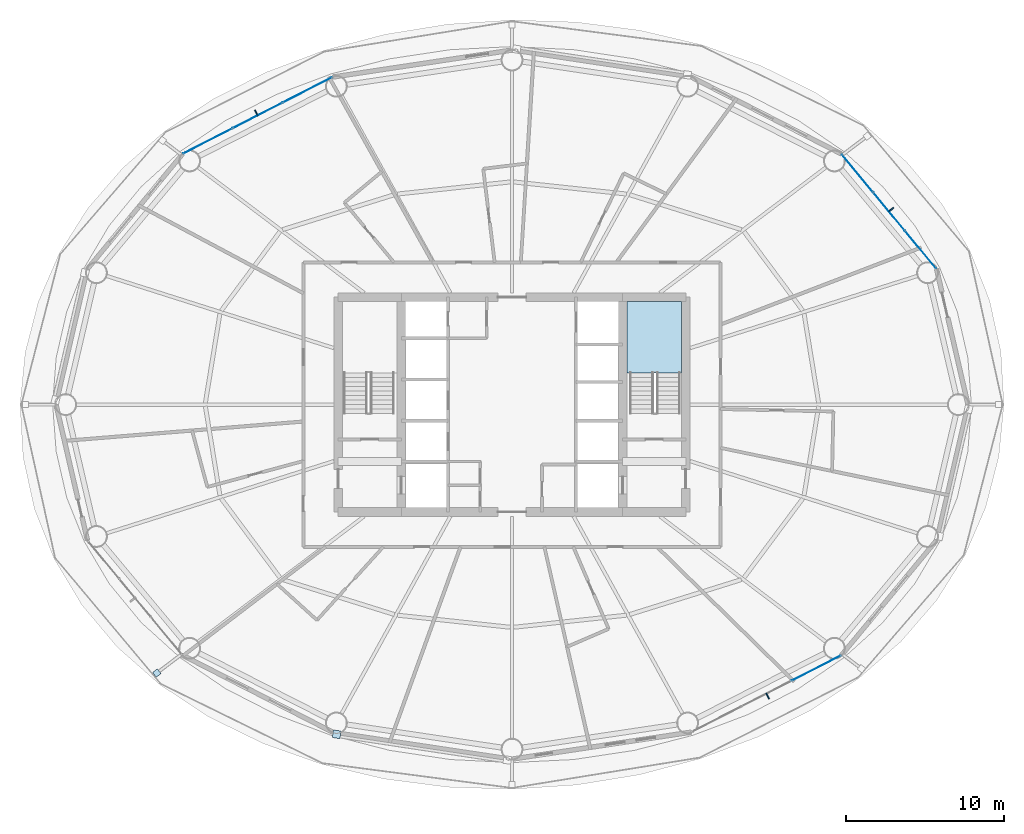
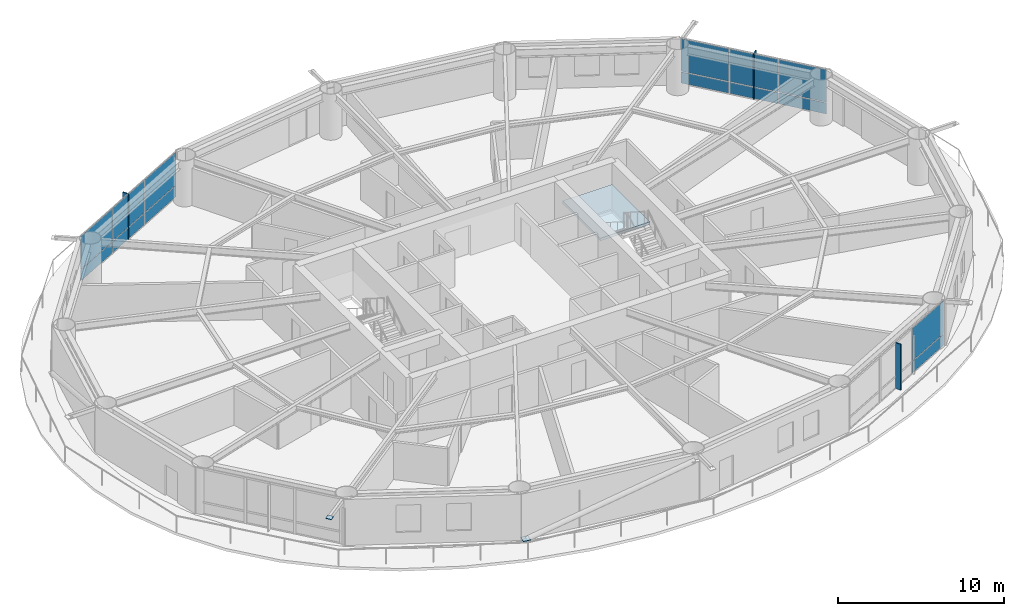
# One storey, part 16 of 24: 19 plates, 1 slab, 4 elements without a shape of their own.
"""IFC4 building model written with IfcOpenShell, lengths in metres."""

from ifc_helpers import new_model, si_unit, direction, frame, origin, origin_2d, place, context, subcontext, project, spatial, polyline, rectangle, outline, extrude, material, layer, layer_set, type_object, element, aggregate, save


model = new_model("IFC4")

# Units and contexts
model_context = context("Model", 3, precision=1e-05, world=origin(), true_north=direction((0.0, 1.0)))
body_context = subcontext(model_context, "Body", "Model", "MODEL_VIEW")
ifc_project = project(units=[si_unit("LENGTHUNIT", "METRE"), si_unit("AREAUNIT", "SQUARE_METRE"), si_unit("VOLUMEUNIT", "CUBIC_METRE"), si_unit("PLANEANGLEUNIT", "RADIAN"), si_unit("MASSUNIT", "GRAM", prefix="KILO")], contexts=[model_context])

# Site, building, storey
site_placement = place(None, origin())
site = spatial("IfcSite", under=ifc_project, at=site_placement, CompositionType="ELEMENT")
building_placement = place(site_placement, origin())
building = spatial("IfcBuilding", under=site, at=building_placement, Name="Sarneth Arch Tower", CompositionType="ELEMENT")
storey_placement = place(building_placement, frame((0.0, 0.0, 127.199951171875)))
storey = spatial("IfcBuildingStorey", under=building, at=storey_placement, Name="L32", CompositionType="ELEMENT", Elevation=127.199951171875)

# Curtain wall, plates
ifc_material_1 = material(Name="Anodised aluminium Type AA25 and solar-control low-e laminated IGU", Category="aluminium")
ifc_layer_1 = layer(ifc_material_1, 0.159912109375)
ifc_layer_set_1 = layer_set([ifc_layer_1], Name="Anodised aluminium Type AA25 and solar-control low-e laminated IGU")
curtain_wall_type = type_object("IfcCurtainWallType", Name="CW-HOTEL-MID", PredefinedType="NOTDEFINED", material=ifc_layer_set_1)
curtain_wall_1_placement = place(storey_placement, origin())
curtain_wall_1 = element("IfcCurtainWall", 1, at=curtain_wall_1_placement, inside=storey, type_object=curtain_wall_type, Name="L32 Unitised curtain wall facet 02", PredefinedType="NOTDEFINED")
ifc_material_2 = material(Name="Solar-control low-e laminated IGU", Category="glass")
ifc_layer_2 = layer(ifc_material_2, 0.028076171875)
ifc_layer_set_2 = layer_set([ifc_layer_2], Name="Solar-control low-e laminated IGU")
plate_type_1 = type_object("IfcPlateType", Name="CW-PANEL", PredefinedType="CURTAIN_PANEL", material=ifc_layer_set_2)
plate_1_placement = place(storey_placement, frame((73.84814453125, 51.807861328125, 0.06005859375), z_axis=(0.0, 0.0, 1.0), x_axis=(-0.637515188684, 0.770437787363, 0.0)))
plate_1 = element("IfcPlate", 2, at=plate_1_placement, type_object=plate_type_1, Name="Curtain wall glazed vision pane CW-L32-F02/P00-00", PredefinedType="CURTAIN_PANEL", context=body_context, shape_type="SweptSolid", body=[
    extrude(rectangle(XDim=3.058349609375, YDim=0.028076171875, at=origin_2d()), origin(), (0.0, 0.0, 1.0), 0.81005859375),
])
plate_2_placement = place(storey_placement, frame((73.84814453125, 51.807861328125, 0.93017578125), z_axis=(0.0, 0.0, 1.0), x_axis=(-0.637515188684, 0.770437787363, 0.0)))
plate_2 = element("IfcPlate", 3, at=plate_2_placement, type_object=plate_type_1, Name="Curtain wall glazed vision pane CW-L32-F02/P00-01", PredefinedType="CURTAIN_PANEL", context=body_context, shape_type="SweptSolid", body=[
    extrude(rectangle(XDim=3.058349609375, YDim=0.028076171875, at=origin_2d()), origin(), (0.0, 0.0, 1.0), 2.389892578125),
])
plate_3_placement = place(storey_placement, frame((71.8505859375, 54.221923828125, 0.06005859375), z_axis=(0.0, 0.0, 1.0), x_axis=(-0.637515188684, 0.770437787363, 0.0)))
plate_3 = element("IfcPlate", 4, at=plate_3_placement, type_object=plate_type_1, Name="Curtain wall glazed vision pane CW-L32-F02/P01-00", PredefinedType="CURTAIN_PANEL", context=body_context, shape_type="SweptSolid", body=[
    extrude(rectangle(XDim=3.08837890625, YDim=0.028076171875, at=origin_2d()), origin(), (0.0, 0.0, 1.0), 0.81005859375),
])
plate_4_placement = place(storey_placement, frame((71.8505859375, 54.221923828125, 0.93017578125), z_axis=(0.0, 0.0, 1.0), x_axis=(-0.637515188684, 0.770437787363, 0.0)))
plate_4 = element("IfcPlate", 5, at=plate_4_placement, type_object=plate_type_1, Name="Curtain wall glazed vision pane CW-L32-F02/P01-01", PredefinedType="CURTAIN_PANEL", context=body_context, shape_type="SweptSolid", body=[
    extrude(rectangle(XDim=3.08837890625, YDim=0.028076171875, at=origin_2d()), origin(), (0.0, 0.0, 1.0), 2.389892578125),
])
plate_5_placement = place(storey_placement, frame((69.85302734375, 56.635986328125, 0.06005859375), z_axis=(0.0, 0.0, 1.0), x_axis=(-0.637515188684, 0.770437787363, 0.0)))
plate_5 = element("IfcPlate", 6, at=plate_5_placement, type_object=plate_type_1, Name="Curtain wall glazed vision pane CW-L32-F02/P02-00", PredefinedType="CURTAIN_PANEL", context=body_context, shape_type="SweptSolid", body=[
    extrude(rectangle(XDim=3.058349609375, YDim=0.028076171875, at=origin_2d()), origin(), (0.0, 0.0, 1.0), 0.81005859375),
])
plate_6_placement = place(storey_placement, frame((69.85302734375, 56.635986328125, 0.93017578125), z_axis=(0.0, 0.0, 1.0), x_axis=(-0.637515188684, 0.770437787363, 0.0)))
plate_6 = element("IfcPlate", 7, at=plate_6_placement, type_object=plate_type_1, Name="Curtain wall glazed vision pane CW-L32-F02/P02-01", PredefinedType="CURTAIN_PANEL", context=body_context, shape_type="SweptSolid", body=[
    extrude(rectangle(XDim=3.058349609375, YDim=0.028076171875, at=origin_2d()), origin(), (0.0, 0.0, 1.0), 2.389892578125),
])
aggregate(curtain_wall_1, [plate_1, plate_2, plate_3, plate_4, plate_5, plate_6])

curtain_wall_2_placement = place(storey_placement, origin())
curtain_wall_2 = element("IfcCurtainWall", 8, at=curtain_wall_2_placement, inside=storey, type_object=curtain_wall_type, Name="L32 Unitised curtain wall facet 06", PredefinedType="NOTDEFINED")
plate_7_placement = place(storey_placement, frame((35.053955078125, 61.905517578125, 0.06005859375), z_axis=(0.0, 0.0, 1.0), x_axis=(-0.889963703649, -0.456031365356, 0.0)))
plate_7 = element("IfcPlate", 9, at=plate_7_placement, type_object=plate_type_1, Name="Curtain wall glazed vision pane CW-L32-F06/P00-00", PredefinedType="CURTAIN_PANEL", context=body_context, shape_type="SweptSolid", body=[
    extrude(rectangle(XDim=3.464111328125, YDim=0.028076171875, at=origin_2d()), origin(), (0.0, 0.0, 1.0), 0.81005859375),
])
plate_8_placement = place(storey_placement, frame((35.053955078125, 61.905517578125, 0.93017578125), z_axis=(0.0, 0.0, 1.0), x_axis=(-0.889963703649, -0.456031365356, 0.0)))
plate_8 = element("IfcPlate", 10, at=plate_8_placement, type_object=plate_type_1, Name="Curtain wall glazed vision pane CW-L32-F06/P00-01", PredefinedType="CURTAIN_PANEL", context=body_context, shape_type="SweptSolid", body=[
    extrude(rectangle(XDim=3.464111328125, YDim=0.028076171875, at=origin_2d()), origin(), (0.0, 0.0, 1.0), 2.389892578125),
])
plate_9_placement = place(storey_placement, frame((31.904296875, 60.29150390625, 0.06005859375), z_axis=(0.0, 0.0, 1.0), x_axis=(-0.889963703649, -0.456031365356, 0.0)))
plate_9 = element("IfcPlate", 11, at=plate_9_placement, type_object=plate_type_1, Name="Curtain wall glazed vision pane CW-L32-F06/P01-00", PredefinedType="CURTAIN_PANEL", context=body_context, shape_type="SweptSolid", body=[
    extrude(rectangle(XDim=3.493896484375, YDim=0.028076171875, at=origin_2d()), origin(), (0.0, 0.0, 1.0), 0.81005859375),
])
plate_10_placement = place(storey_placement, frame((31.904296875, 60.29150390625, 0.93017578125), z_axis=(0.0, 0.0, 1.0), x_axis=(-0.889963703649, -0.456031365356, 0.0)))
plate_10 = element("IfcPlate", 12, at=plate_10_placement, type_object=plate_type_1, Name="Curtain wall glazed vision pane CW-L32-F06/P01-01", PredefinedType="CURTAIN_PANEL", context=body_context, shape_type="SweptSolid", body=[
    extrude(rectangle(XDim=3.493896484375, YDim=0.028076171875, at=origin_2d()), origin(), (0.0, 0.0, 1.0), 2.389892578125),
])
plate_11_placement = place(storey_placement, frame((28.7548828125, 58.677734375, 0.06005859375), z_axis=(0.0, 0.0, 1.0), x_axis=(-0.889963703649, -0.456031365356, 0.0)))
plate_11 = element("IfcPlate", 13, at=plate_11_placement, type_object=plate_type_1, Name="Curtain wall glazed vision pane CW-L32-F06/P02-00", PredefinedType="CURTAIN_PANEL", context=body_context, shape_type="SweptSolid", body=[
    extrude(rectangle(XDim=3.464111328125, YDim=0.028076171875, at=origin_2d()), origin(), (0.0, 0.0, 1.0), 0.81005859375),
])
plate_12_placement = place(storey_placement, frame((28.7548828125, 58.677734375, 0.93017578125), z_axis=(0.0, 0.0, 1.0), x_axis=(-0.889963703649, -0.456031365356, 0.0)))
plate_12 = element("IfcPlate", 14, at=plate_12_placement, type_object=plate_type_1, Name="Curtain wall glazed vision pane CW-L32-F06/P02-01", PredefinedType="CURTAIN_PANEL", context=body_context, shape_type="SweptSolid", body=[
    extrude(rectangle(XDim=3.464111328125, YDim=0.028076171875, at=origin_2d()), origin(), (0.0, 0.0, 1.0), 2.389892578125),
])
aggregate(curtain_wall_2, [plate_7, plate_8, plate_9, plate_10, plate_11, plate_12])

curtain_wall_3_placement = place(storey_placement, origin())
curtain_wall_3 = element("IfcCurtainWall", 15, at=curtain_wall_3_placement, inside=storey, type_object=curtain_wall_type, Name="L32 Unitised curtain wall facet 14", PredefinedType="NOTDEFINED")
plate_13_placement = place(storey_placement, frame((67.2451171875, 25.322265625, 0.06005859375), z_axis=(0.0, 0.0, 1.0), x_axis=(0.889963703649, 0.456031365356, 0.0)))
plate_13 = element("IfcPlate", 16, at=plate_13_placement, type_object=plate_type_1, Name="Curtain wall glazed vision pane CW-L32-F14/P02-00", PredefinedType="CURTAIN_PANEL", context=body_context, shape_type="SweptSolid", body=[
    extrude(rectangle(XDim=3.464111328125, YDim=0.028076171875, at=origin_2d()), origin(), (0.0, 0.0, 1.0), 0.81005859375),
])
plate_14_placement = place(storey_placement, frame((67.2451171875, 25.322265625, 0.93017578125), z_axis=(0.0, 0.0, 1.0), x_axis=(0.889963703649, 0.456031365356, 0.0)))
plate_14 = element("IfcPlate", 17, at=plate_14_placement, type_object=plate_type_1, Name="Curtain wall glazed vision pane CW-L32-F14/P02-01", PredefinedType="CURTAIN_PANEL", context=body_context, shape_type="SweptSolid", body=[
    extrude(rectangle(XDim=3.464111328125, YDim=0.028076171875, at=origin_2d()), origin(), (0.0, 0.0, 1.0), 2.389892578125),
])
aggregate(curtain_wall_3, [plate_13, plate_14])

# Plates
ifc_material_3 = material(Name="Steel S355", Category="steel")
ifc_layer_3 = layer(ifc_material_3, 0.035888671875)
ifc_layer_set_3 = layer_set([ifc_layer_3], Name="Steel S355")
plate_type_2 = type_object("IfcPlateType", Name="PLT-GUSSET-30", PredefinedType="SHEET", material=ifc_layer_set_3)
plate_15_placement = place(storey_placement, frame((25.525634765625, 25.015625, 3.2021484375), z_axis=(0.0, 0.0, 1.0), x_axis=(-0.797794439539, -0.602929541689, 0.0)))
element("IfcPlate", 18, at=plate_15_placement, inside=storey, type_object=plate_type_2, Name="Steel end cap plate GP-1", PredefinedType="SHEET", context=body_context, shape_type="SweptSolid", body=[
    extrude(rectangle(XDim=0.3798828125, YDim=0.3798828125, at=origin_2d()), origin(), (0.0, 0.0, 1.0), 0.035888671875),
])
plate_16_placement = place(storey_placement, frame((36.9072265625, 21.140380859375, 0.001953125), z_axis=(0.0, 0.0, 1.0), x_axis=(0.988860535448, -0.148845024885, 0.0)))
element("IfcPlate", 19, at=plate_16_placement, inside=storey, type_object=plate_type_2, Name="Steel end cap plate GP-1", PredefinedType="SHEET", context=body_context, shape_type="SweptSolid", body=[
    extrude(rectangle(XDim=0.486083984375, YDim=0.486083984375, at=origin_2d()), origin(), (0.0, 0.0, 1.0), 0.035888671875),
])
ifc_material_4 = material(Name="Extruded glazed terracotta baguette fin on Aluminium 6063-T6 carrier", Category="masonry")
ifc_layer_4 = layer(ifc_material_4, 0.080078125)
ifc_layer_set_4 = layer_set([ifc_layer_4], Name="Extruded glazed terracotta baguette fin on Aluminium 6063-T6 carrier")
plate_type_3 = type_object("IfcPlateType", Name="SHADE-TERRA-FIN", PredefinedType="SHEET", material=ifc_layer_set_4)
for number, where, z_axis, x_axis, name in (
    (20, (71.981689453125, 54.330322265625, 0.009765625), (0.0, 0.0, 1.0), (0.770401979567, 0.63755845997, 0.0), "L32 Terracotta vertical shading fin 02"),
    (21, (31.826904296875, 60.44287109375, 0.009765625), (0.0, 0.0, 1.0), (-0.456010959102, 0.889974159838, 0.0), "L32 Terracotta vertical shading fin 06"),
    (22, (64.173095703125, 23.55712890625, 0.009765625), (0.0, 0.0, 1.0), (0.456010959102, -0.889974159838, 0.0), "L32 Terracotta vertical shading fin 14"),
):
    element("IfcPlate", number, at=place(storey_placement, frame(where, z_axis=z_axis, x_axis=x_axis)), inside=storey, type_object=plate_type_3, Name=name, PredefinedType="SHEET", context=body_context, shape_type="SweptSolid", body=[
        extrude(rectangle(XDim=0.419921875, YDim=0.080078125, at=origin_2d()), origin(), (0.0, 0.0, 1.0), 3.360107421875),
    ])

# Stair, slab
ifc_material_5 = material(Name="Concrete C50/60", Category="concrete")
stair_type = type_object("IfcStairType", Name="STAIR-CORE-RC", PredefinedType="HALF_TURN_STAIR", material=ifc_material_5)
stair_placement = place(storey_placement, origin())
stair = element("IfcStair", 23, at=stair_placement, inside=storey, type_object=stair_type, Name="L32 Core Exit Stair 2", PredefinedType="HALF_TURN_STAIR")
ifc_material_6 = material(Name="Concrete C50/60", Category="concrete")
ifc_layer_5 = layer(ifc_material_6, 0.199951171875)
ifc_layer_set_5 = layer_set([ifc_layer_5], Name="Concrete C50/60")
slab_type = type_object("IfcSlabType", Name="SLAB-LANDING-200", PredefinedType="LANDING", material=ifc_layer_set_5)
slab_placement = place(storey_placement, frame((0.0, 0.0, 1.60009765625)))
slab = element("IfcSlab", 24, at=slab_placement, type_object=slab_type, Name="ST-2 landing 1", PredefinedType="LANDING", context=body_context, shape_type="SweptSolid", body=[
    extrude(outline(polyline([(55.27490234375, 43.985107421875), (58.72509765625, 43.985107421875), (58.72509765625, 48.52490234375), (55.27490234375, 48.52490234375), (55.27490234375, 43.985107421875)])), origin(), (0.0, 0.0, 1.0), 0.199951171875),
])
aggregate(stair, [slab])

save(model, "model.ifc")
